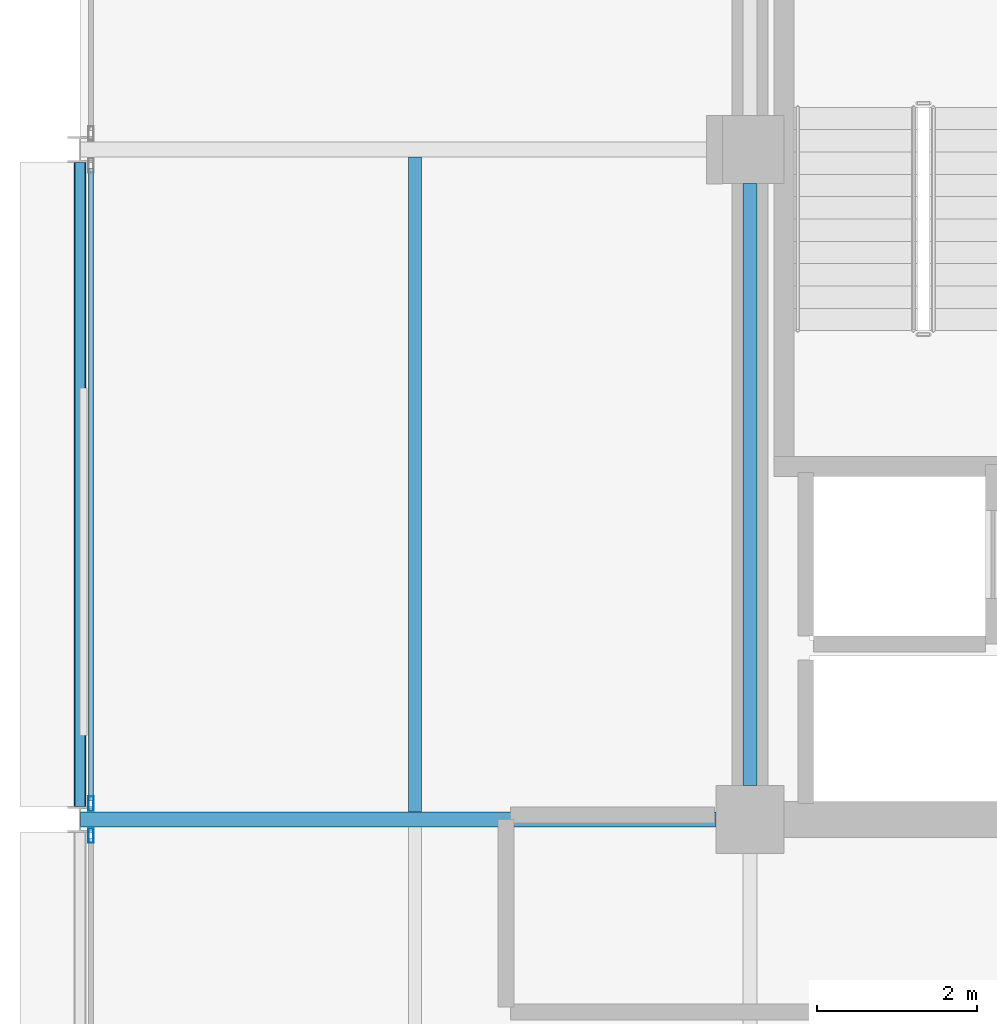
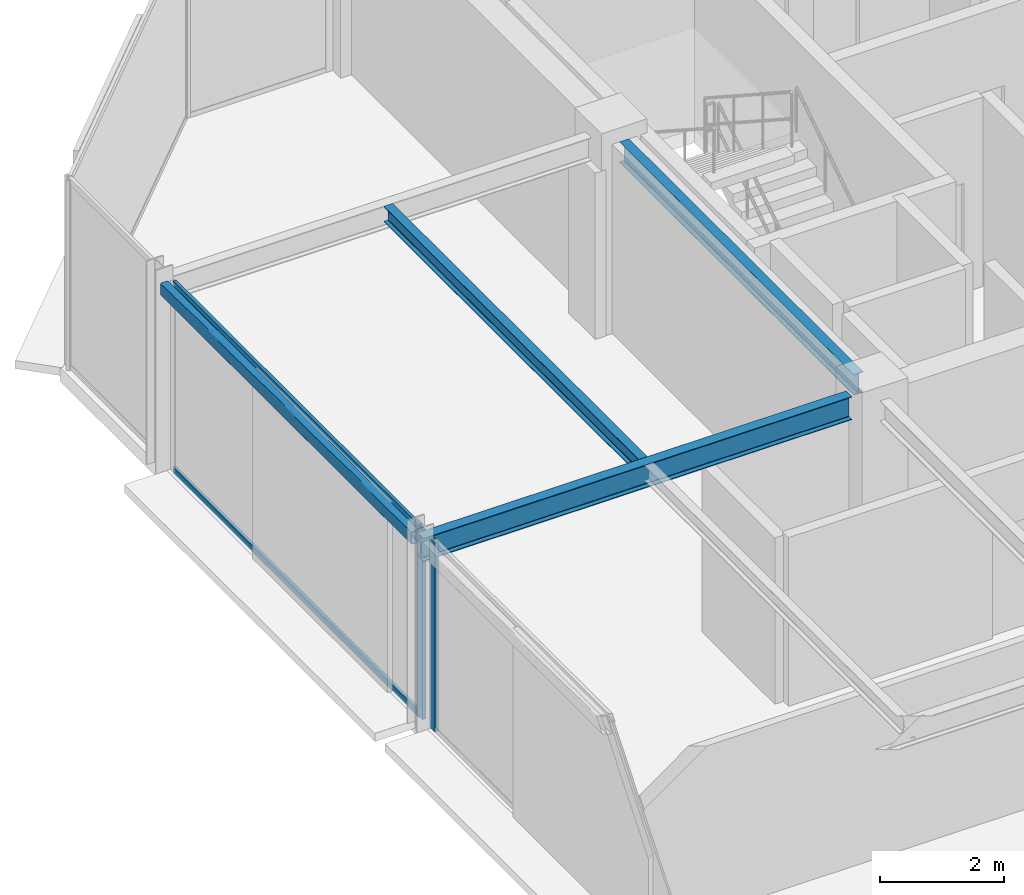
# One storey, part 11 of 27: 4 beams, 4 members, 2 elements without a shape of their own.
"""IFC4 building model written with IfcOpenShell, lengths in metres."""

from ifc_helpers import new_model, si_unit, direction, frame, origin, origin_2d, place, context, subcontext, project, spatial, hollow_rectangle, i_section, extrude, material, layer, layer_set, material_profile, profile_set, type_object, element, aggregate, save


model = new_model("IFC4")

# Units and contexts
model_context = context("Model", 3, precision=1e-05, world=origin(), true_north=direction((0.0, 1.0)))
body_context = subcontext(model_context, "Body", "Model", "MODEL_VIEW")
ifc_project = project(units=[si_unit("LENGTHUNIT", "METRE"), si_unit("AREAUNIT", "SQUARE_METRE"), si_unit("VOLUMEUNIT", "CUBIC_METRE"), si_unit("PLANEANGLEUNIT", "RADIAN"), si_unit("MASSUNIT", "GRAM", prefix="KILO")], contexts=[model_context])

# Site, building, storey
site_placement = place(None, origin())
site = spatial("IfcSite", under=ifc_project, at=site_placement, CompositionType="ELEMENT")
building_placement = place(site_placement, origin())
building = spatial("IfcBuilding", under=site, at=building_placement, Name="Nerrivon Quay Data Exchange", CompositionType="ELEMENT")
storey_placement = place(building_placement, frame((0.0, 0.0, 254.199951171875)))
storey = spatial("IfcBuildingStorey", under=building, at=storey_placement, Name="L60", CompositionType="ELEMENT", Elevation=254.199951171875)

# Beams
ifc_material_1 = material(Name="Steel Grade 350", Category="steel")
ifc_material_profile_1 = material_profile(ifc_material_1, i_section(OverallWidth=0.18994140625, OverallDepth=0.4541015625, WebThickness=0.008544921875, FlangeThickness=0.0126953125, FilletRadius=0.011474609375, at=origin_2d()), Name="460UB67.1")
ifc_profile_set_1 = profile_set([ifc_material_profile_1], Name="Steel Grade 350")
beam_type_1 = type_object("IfcBeamType", Name="BM-G6-460UB67", PredefinedType="BEAM", material=ifc_profile_set_1)
beam_1_placement = place(storey_placement, frame((0.0078125, 25.199951171875, 3.498046875), z_axis=(1.0, 0.0, 0.0), x_axis=(0.0, 1.0, 0.0)))
element("IfcBeam", 1, at=beam_1_placement, inside=storey, type_object=beam_type_1, Name="L60 EW Girder Y=25.2 (0.0..8.4)", PredefinedType="BEAM", context=body_context, shape_type="SweptSolid", body=[
    extrude(i_section(OverallWidth=0.18994140625, OverallDepth=0.4541015625, WebThickness=0.008544921875, FlangeThickness=0.0126953125, FilletRadius=0.011474609375, at=origin_2d()), origin(), (0.0, 0.0, 1.0), 7.96728515625),
])
ifc_material_profile_2 = material_profile(ifc_material_1, i_section(OverallWidth=0.177978515625, OverallDepth=0.406005859375, WebThickness=0.0078125, FlangeThickness=0.0126953125, FilletRadius=0.011474609375, at=origin_2d()), Name="410UB59.7")
ifc_profile_set_2 = profile_set([ifc_material_profile_2], Name="Steel Grade 350")
beam_type_2 = type_object("IfcBeamType", Name="BM-J1-410UB60", PredefinedType="JOIST", material=ifc_profile_set_2)
beam_2_placement = place(storey_placement, frame((8.39990234375, 25.625, 3.52197265625), z_axis=(0.0, 1.0, 0.0), x_axis=(-1.0, 0.0, 0.0)))
element("IfcBeam", 2, at=beam_2_placement, inside=storey, type_object=beam_type_2, Name="L60 NS Girder X=8.4 (25.2..33.6)", PredefinedType="JOIST", context=body_context, shape_type="SweptSolid", body=[
    extrude(i_section(OverallWidth=0.177978515625, OverallDepth=0.406005859375, WebThickness=0.0078125, FlangeThickness=0.0126953125, FilletRadius=0.011474609375, at=origin_2d()), origin(), (0.0, 0.0, 1.0), 7.550048828125),
])
ifc_material_profile_3 = material_profile(ifc_material_1, i_section(OverallWidth=0.1650390625, OverallDepth=0.303955078125, WebThickness=0.006103515625, FlangeThickness=0.01025390625, FilletRadius=0.011474609375, at=origin_2d()), Name="310UB40.4")
ifc_profile_set_3 = profile_set([ifc_material_profile_3], Name="Steel Grade 350")
beam_type_3 = type_object("IfcBeamType", Name="BM-J6-310UB40", PredefinedType="JOIST", material=ifc_profile_set_3)
beam_3_placement = place(storey_placement, frame((4.199951171875, 25.294921875, 3.572998046875), z_axis=(0.0, 1.0, 0.0), x_axis=(-1.0, 0.0, 0.0)))
element("IfcBeam", 3, at=beam_3_placement, inside=storey, type_object=beam_type_3, Name="L60 Secondary Joist X=4.2 (25.2..33.6)", PredefinedType="JOIST", context=body_context, shape_type="SweptSolid", body=[
    extrude(i_section(OverallWidth=0.1650390625, OverallDepth=0.303955078125, WebThickness=0.006103515625, FlangeThickness=0.01025390625, FilletRadius=0.011474609375, at=origin_2d()), origin(), (0.0, 0.0, 1.0), 8.2099609375),
])
ifc_material_2 = material(Name="Steel Grade C350L0 (350 MPa)", Category="steel")
ifc_material_profile_4 = material_profile(ifc_material_2, hollow_rectangle(XDim=0.14990234375, YDim=0.25, WallThickness=0.009033203125, InnerFilletRadius=0.013427734375, OuterFilletRadius=0.0224609375, at=origin_2d()), Name="250x150x9.0RHS")
ifc_profile_set_4 = profile_set([ifc_material_profile_4], Name="Steel Grade C350L0 (350 MPa)")
beam_type_4 = type_object("IfcBeamType", Name="BM-SP4-250x150RHS", PredefinedType="SPANDREL", material=ifc_profile_set_4)
beam_4_placement = place(storey_placement, frame((0.0, 25.363525390625, 3.60009765625), z_axis=(0.0, 1.0, 0.0), x_axis=(-1.0, 0.0, 0.0)))
element("IfcBeam", 4, at=beam_4_placement, inside=storey, type_object=beam_type_4, Name="L60 NS Girder X=0.0 (25.2..33.6)", PredefinedType="SPANDREL", context=body_context, shape_type="SweptSolid", body=[
    extrude(hollow_rectangle(XDim=0.14990234375, YDim=0.25, WallThickness=0.009033203125, InnerFilletRadius=0.013427734375, OuterFilletRadius=0.0224609375, at=origin_2d()), origin(), (0.0, 0.0, 1.0), 8.072998046875),
])

# Curtain wall, member
ifc_material_3 = material(Name="Anodised aluminium 6063-T6", Category="aluminium")
ifc_layer = layer(ifc_material_3, 0.195068359375)
ifc_layer_set = layer_set([ifc_layer], Name="Anodised aluminium 6063-T6")
curtain_wall_type = type_object("IfcCurtainWallType", Name="CW-SYS-06", PredefinedType="NOTDEFINED", material=ifc_layer_set)
curtain_wall_1_placement = place(storey_placement, origin())
curtain_wall_1 = element("IfcCurtainWall", 5, at=curtain_wall_1_placement, inside=storey, type_object=curtain_wall_type, Name="L60 Unitised Curtain Wall 13", PredefinedType="NOTDEFINED")
ifc_material_profile_5 = material_profile(ifc_material_3, hollow_rectangle(XDim=0.06494140625, YDim=0.179931640625, WallThickness=0.00341796875, at=origin_2d()), Name="ALU-MULL-180x65")
ifc_profile_set_5 = profile_set([ifc_material_profile_5], Name="Anodised aluminium 6063-T6")
member_type_1 = type_object("IfcMemberType", Name="CWM-180x65", PredefinedType="MULLION", material=ifc_profile_set_5)
member_1_placement = place(storey_placement, frame((0.139892578125, 24.9990234375, 0.0), z_axis=(0.0, 0.0, 1.0), x_axis=(-1.0, 0.0, 0.0)))
member_1 = element("IfcMember", 6, at=member_1_placement, type_object=member_type_1, Name="CW06 mullion 2", PredefinedType="MULLION", context=body_context, shape_type="SweptSolid", body=[
    extrude(hollow_rectangle(XDim=0.06494140625, YDim=0.179931640625, WallThickness=0.00341796875, at=origin_2d()), origin(), (0.0, 0.0, 1.0), 3.72509765625),
])
aggregate(curtain_wall_1, [member_1])

# Curtain wall, members
curtain_wall_2_placement = place(storey_placement, origin())
curtain_wall_2 = element("IfcCurtainWall", 7, at=curtain_wall_2_placement, inside=storey, type_object=curtain_wall_type, Name="L60 Unitised Curtain Wall 14", PredefinedType="NOTDEFINED")
member_2_placement = place(storey_placement, frame((0.139892578125, 25.40087890625, 0.0), z_axis=(0.0, 0.0, 1.0), x_axis=(-1.0, 0.0, 0.0)))
member_2 = element("IfcMember", 8, at=member_2_placement, type_object=member_type_1, Name="CW06 mullion 1", PredefinedType="MULLION", context=body_context, shape_type="SweptSolid", body=[
    extrude(hollow_rectangle(XDim=0.06494140625, YDim=0.179931640625, WallThickness=0.00341796875, at=origin_2d()), origin(), (0.0, 0.0, 1.0), 3.72509765625),
])
ifc_material_profile_6 = material_profile(ifc_material_3, hollow_rectangle(XDim=0.06005859375, YDim=0.1201171875, WallThickness=0.003173828125, at=origin_2d()), Name="ALU-TRAN-120x60")
ifc_profile_set_6 = profile_set([ifc_material_profile_6], Name="Anodised aluminium 6063-T6")
member_type_2 = type_object("IfcMemberType", Name="CWT-120x60", PredefinedType="USERDEFINED", material=ifc_profile_set_6)
member_3_placement = place(storey_placement, frame((0.139892578125, 25.4384765625, 0.032470703125), z_axis=(0.0, 1.0, 0.0), x_axis=(-1.0, 0.0, 0.0)))
member_3 = element("IfcMember", 9, at=member_3_placement, type_object=member_type_2, Name="CW06 transom 1.1", ObjectType="TRANSOM", PredefinedType="USERDEFINED", context=body_context, shape_type="SweptSolid", body=[
    extrude(hollow_rectangle(XDim=0.06005859375, YDim=0.1201171875, WallThickness=0.003173828125, at=origin_2d()), origin(), (0.0, 0.0, 1.0), 7.923095703125),
])
member_4_placement = place(storey_placement, frame((0.139892578125, 25.4384765625, 3.692626953125), z_axis=(0.0, 1.0, 0.0), x_axis=(-1.0, 0.0, 0.0)))
member_4 = element("IfcMember", 10, at=member_4_placement, type_object=member_type_2, Name="CW06 transom 1.2", ObjectType="TRANSOM", PredefinedType="USERDEFINED", context=body_context, shape_type="SweptSolid", body=[
    extrude(hollow_rectangle(XDim=0.06005859375, YDim=0.1201171875, WallThickness=0.003173828125, at=origin_2d()), origin(), (0.0, 0.0, 1.0), 7.923095703125),
])
aggregate(curtain_wall_2, [member_2, member_3, member_4])

save(model, "model.ifc")
